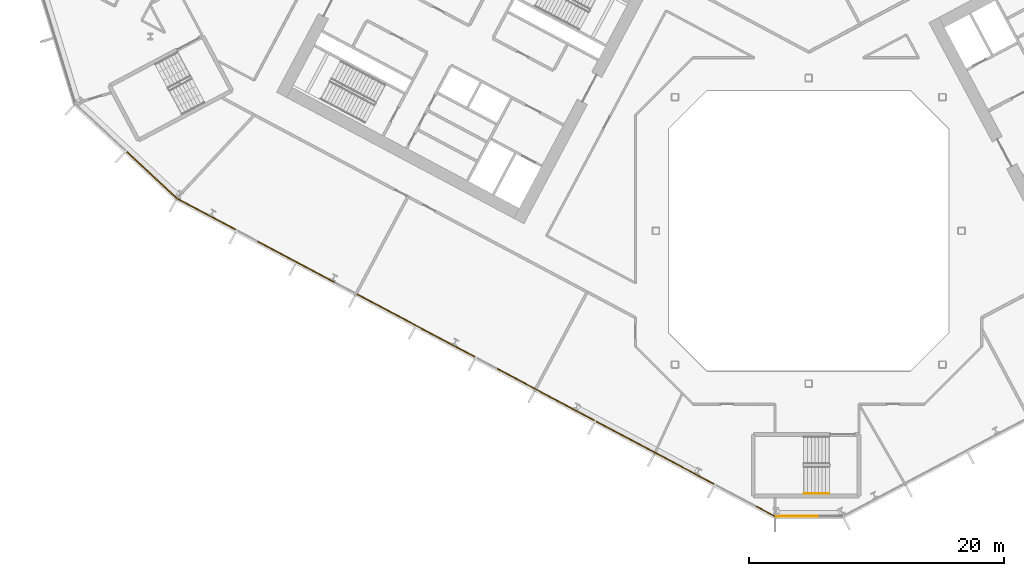
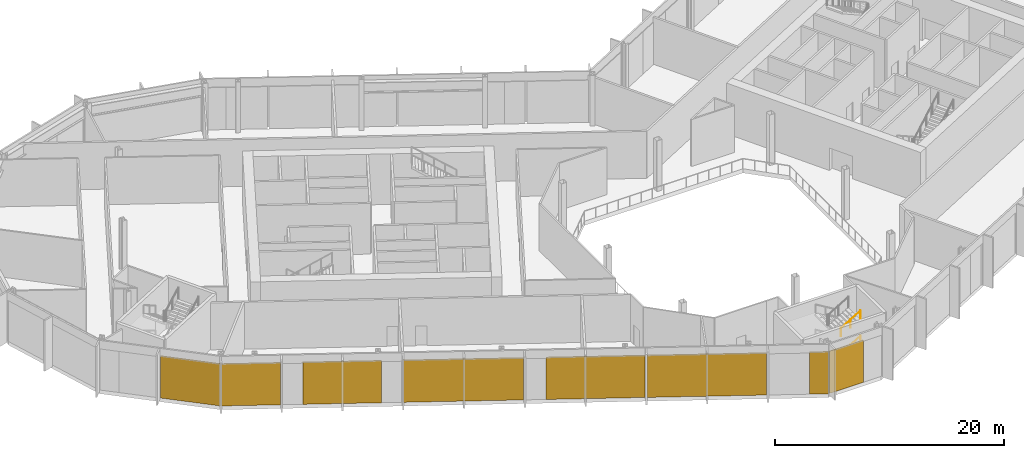
# One storey, part 20 of 32: 8 coverings, 2 railings, 3 elements without a shape of their own.
"""IFC4 building model written with IfcOpenShell, lengths in metres."""

from ifc_helpers import new_model, si_unit, direction, frame, origin, origin_2d, place, context, subcontext, project, spatial, polyline, rectangle, outline, extrude, material, layer, layer_set, type_object, element, aggregate, save


model = new_model("IFC4")

# Units and contexts
model_context = context("Model", 3, precision=1e-05, world=origin(), true_north=direction((0.0, 1.0)))
body_context = subcontext(model_context, "Body", "Model", "MODEL_VIEW")
ifc_project = project(units=[si_unit("LENGTHUNIT", "METRE"), si_unit("AREAUNIT", "SQUARE_METRE"), si_unit("VOLUMEUNIT", "CUBIC_METRE"), si_unit("PLANEANGLEUNIT", "RADIAN"), si_unit("MASSUNIT", "GRAM", prefix="KILO")], contexts=[model_context])

# Site, building, storey
site_placement = place(None, origin())
site = spatial("IfcSite", under=ifc_project, at=site_placement, CompositionType="ELEMENT")
building_placement = place(site_placement, origin())
building = spatial("IfcBuilding", under=site, at=building_placement, Name="Cormorant Relay Tower", CompositionType="ELEMENT")
storey_placement = place(building_placement, frame((0.0, 0.0, 60.800048828125)))
storey = spatial("IfcBuildingStorey", under=building, at=storey_placement, Name="L11", CompositionType="ELEMENT", Elevation=60.800048828125)

# Curtain wall, covering
ifc_material_1 = material(Name="Aluminium 6063-T6 anodised bronze", Category="aluminium")
ifc_layer_1 = layer(ifc_material_1, 0.235107421875)
ifc_layer_set_1 = layer_set([ifc_layer_1], Name="CW6 data hall curtain wall with mineral wool panels")
curtain_wall_type = type_object("IfcCurtainWallType", Name="CW6 data hall curtain wall with mineral wool panels", PredefinedType="NOTDEFINED", material=ifc_layer_set_1)
curtain_wall_1_placement = place(storey_placement, origin())
curtain_wall_1 = element("IfcCurtainWall", 1, at=curtain_wall_1_placement, inside=storey, type_object=curtain_wall_type, Name="CW6 curtain wall 1", PredefinedType="NOTDEFINED")
ifc_material_2 = material(Name="Mineral wool cored anodised bronze aluminium cassette panel", Category="aluminium")
ifc_layer_2 = layer(ifc_material_2, 0.074951171875)
ifc_layer_set_2 = layer_set([ifc_layer_2], Name="CW6 mineral wool cassette panel 75")
covering_type = type_object("IfcCoveringType", Name="CW6 mineral wool cassette panel 75", PredefinedType="CLADDING", material=ifc_layer_set_2)
covering_1_placement = place(storey_placement, frame((-0.862548828125, -22.4130859375, 0.0), z_axis=(0.0, 0.0, 1.0), x_axis=(1.0, 0.0, 0.0)))
covering_1 = element("IfcCovering", 2, at=covering_1_placement, type_object=covering_type, Name="CW6 panel S00", PredefinedType="CLADDING", context=body_context, shape_type="SweptSolid", body=[
    extrude(rectangle(XDim=3.422607421875, YDim=0.074951171875, at=origin_2d()), origin(), (0.0, 0.0, 1.0), 4.5),
])
aggregate(curtain_wall_1, [covering_1])

curtain_wall_2_placement = place(storey_placement, origin())
curtain_wall_2 = element("IfcCurtainWall", 3, at=curtain_wall_2_placement, inside=storey, type_object=curtain_wall_type, Name="CW6 curtain wall 13", PredefinedType="NOTDEFINED")
covering_2_placement = place(storey_placement, frame((-51.5771484375, 4.384765625, 0.0), z_axis=(0.0, 0.0, 1.0), x_axis=(0.731353701619, -0.681998360062, 0.0)))
covering_2 = element("IfcCovering", 4, at=covering_2_placement, type_object=covering_type, Name="CW6 panel S02", PredefinedType="CLADDING", context=body_context, shape_type="SweptSolid", body=[
    extrude(rectangle(XDim=5.360107421875, YDim=0.074951171875, at=origin_2d()), origin(), (0.0, 0.0, 1.0), 4.5),
])
aggregate(curtain_wall_2, [covering_2])

# Curtain wall, coverings
curtain_wall_3_placement = place(storey_placement, origin())
curtain_wall_3 = element("IfcCurtainWall", 5, at=curtain_wall_3_placement, inside=storey, type_object=curtain_wall_type, Name="CW6 curtain wall 14", PredefinedType="NOTDEFINED")
covering_3_placement = place(storey_placement, frame((-47.261962890625, 1.30322265625, 0.0), z_axis=(0.0, 0.0, 1.0), x_axis=(0.882947592859, -0.469471562786, 0.0)))
covering_3 = element("IfcCovering", 6, at=covering_3_placement, type_object=covering_type, Name="CW6 panel S00", PredefinedType="CLADDING", context=body_context, shape_type="SweptSolid", body=[
    extrude(rectangle(XDim=5.16650390625, YDim=0.074951171875, at=origin_2d()), origin(), (0.0, 0.0, 1.0), 4.5),
])
covering_4_placement = place(storey_placement, frame((-40.220703125, -2.44091796875, 0.0), z_axis=(0.0, 0.0, 1.0), x_axis=(0.882947592859, -0.469471562786, 0.0)))
covering_4 = element("IfcCovering", 7, at=covering_4_placement, type_object=covering_type, Name="CW6 panel S02", PredefinedType="CLADDING", context=body_context, shape_type="SweptSolid", body=[
    extrude(rectangle(XDim=6.88330078125, YDim=0.074951171875, at=origin_2d()), origin(), (0.0, 0.0, 1.0), 4.5),
])
covering_5_placement = place(storey_placement, frame((-30.83203125, -7.4326171875, 0.0), z_axis=(0.0, 0.0, 1.0), x_axis=(0.882947592859, -0.469471562786, 0.0)))
covering_5 = element("IfcCovering", 8, at=covering_5_placement, type_object=covering_type, Name="CW6 panel S04", PredefinedType="CLADDING", context=body_context, shape_type="SweptSolid", body=[
    extrude(rectangle(XDim=10.483154296875, YDim=0.074951171875, at=origin_2d()), origin(), (0.0, 0.0, 1.0), 4.5),
])
covering_6_placement = place(storey_placement, frame((-20.64892578125, -12.84716796875, 0.0), z_axis=(0.0, 0.0, 1.0), x_axis=(0.882947592859, -0.469471562786, 0.0)))
covering_6 = element("IfcCovering", 9, at=covering_6_placement, type_object=covering_type, Name="CW6 panel S06", PredefinedType="CLADDING", context=body_context, shape_type="SweptSolid", body=[
    extrude(rectangle(XDim=8.68310546875, YDim=0.074951171875, at=origin_2d()), origin(), (0.0, 0.0, 1.0), 4.5),
])
covering_7_placement = place(storey_placement, frame((-12.054931640625, -17.416748046875, 0.0), z_axis=(0.0, 0.0, 1.0), x_axis=(0.882947592859, -0.469471562786, 0.0)))
covering_7 = element("IfcCovering", 10, at=covering_7_placement, type_object=covering_type, Name="CW6 panel S07", PredefinedType="CLADDING", context=body_context, shape_type="SweptSolid", body=[
    extrude(rectangle(XDim=10.483154296875, YDim=0.074951171875, at=origin_2d()), origin(), (0.0, 0.0, 1.0), 4.5),
])
covering_8_placement = place(storey_placement, frame((-3.39111328125, -22.023193359375, 0.0), z_axis=(0.0, 0.0, 1.0), x_axis=(0.882947592859, -0.469471562786, 0.0)))
covering_8 = element("IfcCovering", 11, at=covering_8_placement, type_object=covering_type, Name="CW6 panel S09", PredefinedType="CLADDING", context=body_context, shape_type="SweptSolid", body=[
    extrude(rectangle(XDim=1.6416015625, YDim=0.074951171875, at=origin_2d()), origin(), (0.0, 0.0, 1.0), 4.5),
])
aggregate(curtain_wall_3, [covering_3, covering_4, covering_5, covering_6, covering_7, covering_8])

# Railings
ifc_material_3 = material(Name="Steel ASTM A572 Grade 50 (Fy 345 MPa)", Category="steel")
railing_type = type_object("IfcRailingType", Name="Stair handrail 900", PredefinedType="HANDRAIL", material=ifc_material_3)
for number, where, name in (
    (12, (-0.360107421875, -20.625, 1.518798828125), "L11 RK1 stair handrail 2"),
    (13, (-0.360107421875, -20.625, 4.21875), "L11 RK1 stair handrail 4"),
):
    element("IfcRailing", number, at=place(storey_placement, frame(where)), inside=storey, type_object=railing_type, Name=name, PredefinedType="HANDRAIL", context=body_context, shape_type="SweptSolid", body=[
        extrude(outline(polyline([(0.022216796875, 0.00927734375), (0.00927734375, 0.022216796875), (-0.00927734375, 0.022216796875), (-0.022216796875, 0.00927734375), (-0.022216796875, -0.00927734375), (-0.00927734375, -0.022216796875), (0.00927734375, -0.022216796875), (0.022216796875, -0.00927734375), (0.022216796875, 0.00927734375)])), frame((0.0, 0.0, 0.8759765625), z_axis=(0.856521883693, 0.0, 0.516110707847), x_axis=(0.0, 1.0, 0.0)), (0.0, 0.0, 1.0), 2.28857421875),
        extrude(outline(polyline([(0.019287109375, 0.008056640625), (0.008056640625, 0.019287109375), (-0.008056640625, 0.019287109375), (-0.019287109375, 0.008056640625), (-0.019287109375, -0.008056640625), (-0.008056640625, -0.019287109375), (0.008056640625, -0.019287109375), (0.019287109375, -0.008056640625), (0.019287109375, 0.008056640625)])), origin(), (0.0, 0.0, 1.0), 0.851806640625),
        extrude(outline(polyline([(0.019287109375, 0.008056640625), (0.008056640625, 0.019287109375), (-0.008056640625, 0.019287109375), (-0.019287109375, 0.008056640625), (-0.019287109375, -0.008056640625), (-0.008056640625, -0.019287109375), (0.008056640625, -0.019287109375), (0.019287109375, -0.008056640625), (0.019287109375, 0.008056640625)])), frame((0.97998046875, 0.0, 0.590576171875)), (0.0, 0.0, 1.0), 0.851806640625),
        extrude(outline(polyline([(0.019287109375, 0.008056640625), (0.008056640625, 0.019287109375), (-0.008056640625, 0.019287109375), (-0.019287109375, 0.008056640625), (-0.019287109375, -0.008056640625), (-0.008056640625, -0.019287109375), (0.008056640625, -0.019287109375), (0.019287109375, -0.008056640625), (0.019287109375, 0.008056640625)])), frame((1.960205078125, 0.0, 1.18115234375)), (0.0, 0.0, 1.0), 0.851806640625),
    ])

save(model, "model.ifc")
